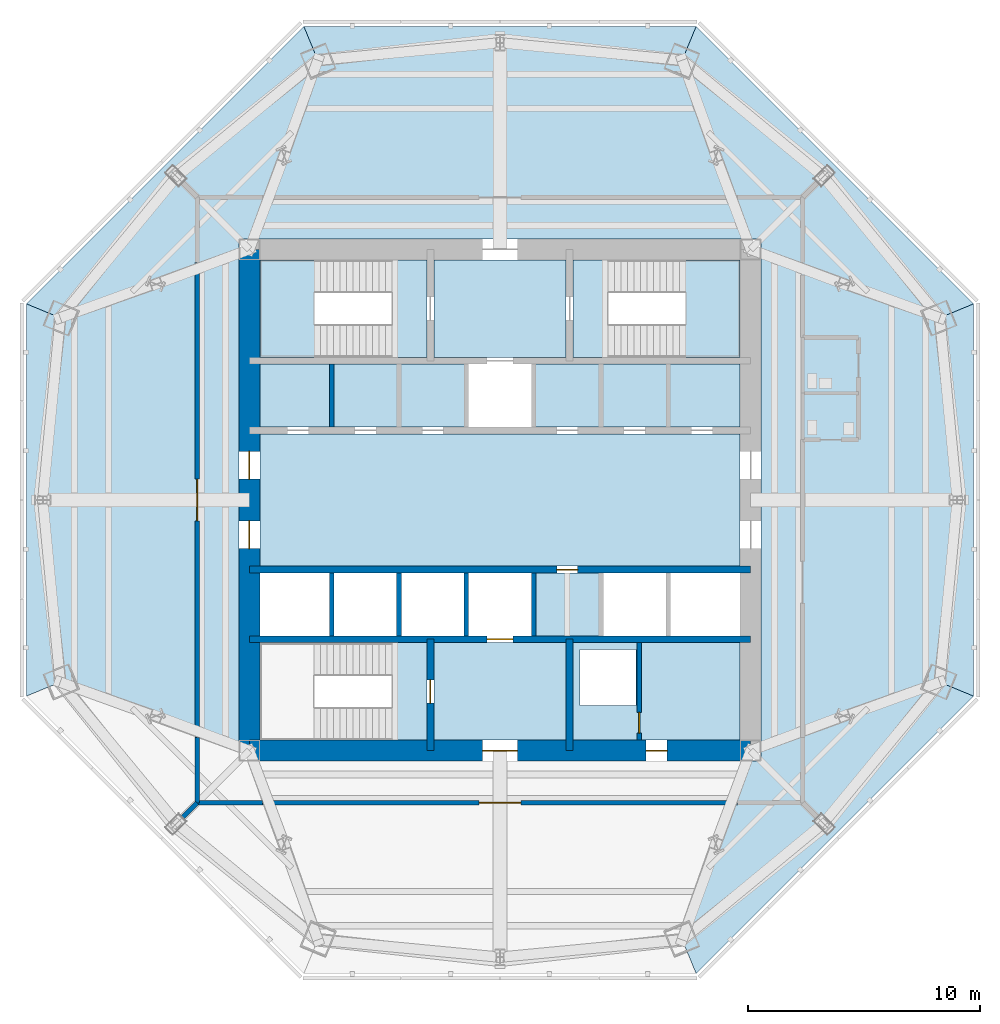
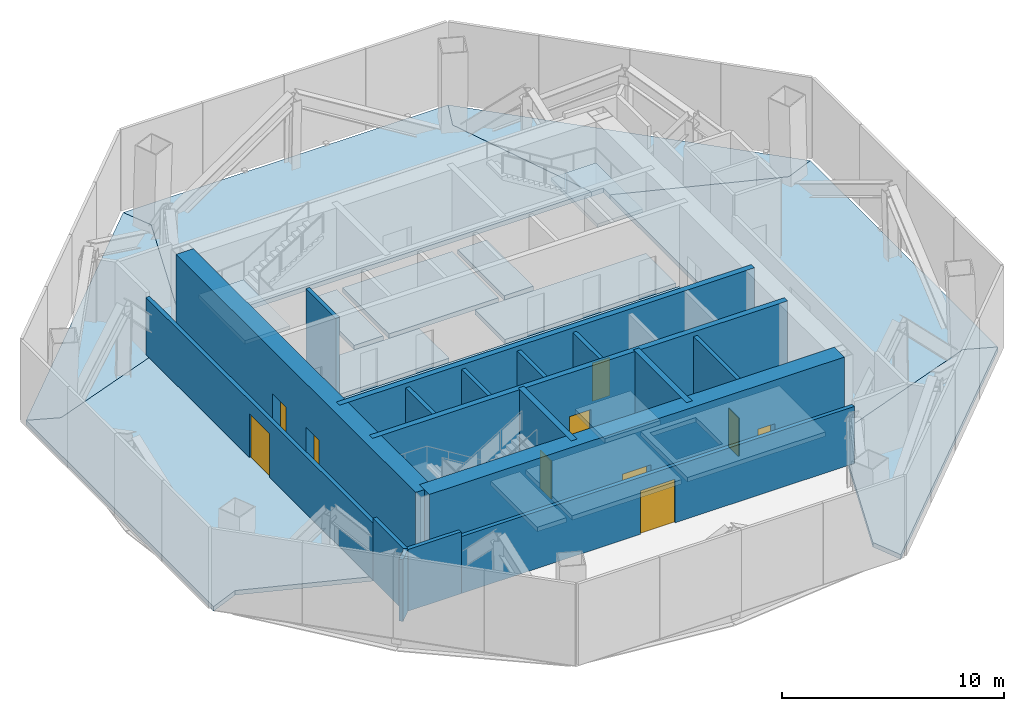
# One storey, part 3 of 8: 18 slabs, 17 walls, 10 doors, 10 openings, 3 elements without a shape of their own.
"""IFC4 building model written with IfcOpenShell, lengths in metres."""

from ifc_helpers import new_model, si_unit, direction, frame, frame_2d, origin, place, context, subcontext, project, spatial, polyline, rectangle, outline, extrude, material, layer, layer_set, type_object, element, fill, aggregate, save


model = new_model("IFC4")

# Units and contexts
model_context = context("Model", 3, precision=1e-05, world=origin(), true_north=direction((0.0, 1.0)))
body_context = subcontext(model_context, "Body", "Model", "MODEL_VIEW")
ifc_project = project(units=[si_unit("LENGTHUNIT", "METRE"), si_unit("AREAUNIT", "SQUARE_METRE"), si_unit("VOLUMEUNIT", "CUBIC_METRE"), si_unit("PLANEANGLEUNIT", "RADIAN"), si_unit("MASSUNIT", "GRAM", prefix="KILO")], contexts=[model_context])

# Site, building, storey
site_placement = place(None, origin())
site = spatial("IfcSite", under=ifc_project, at=site_placement, CompositionType="ELEMENT")
building_placement = place(site_placement, origin())
building = spatial("IfcBuilding", under=site, at=building_placement, Name="Mashrafa Tower", CompositionType="ELEMENT")
storey_placement = place(building_placement, frame((0.0, 0.0, 261.800048828125)))
storey = spatial("IfcBuildingStorey", under=building, at=storey_placement, Name="L63", CompositionType="ELEMENT", Elevation=261.800048828125)

# Slabs
ifc_material_1 = material(Name="Concrete C35/45", Category="concrete")
ifc_layer_1 = layer(ifc_material_1, 0.25)
ifc_layer_set_1 = layer_set([ifc_layer_1], Name="Floor slab 250")
slab_type_1 = type_object("IfcSlabType", Name="Floor slab 250", PredefinedType="FLOOR", material=ifc_layer_set_1)
slab_1_placement = place(storey_placement, frame((0.0, 0.0, -0.25)))
element("IfcSlab", 1, at=slab_1_placement, inside=storey, type_object=slab_type_1, Name="Floor slab L63 east bay", PredefinedType="FLOOR", context=body_context, shape_type="SweptSolid", body=[
    extrude(outline(polyline([(20.40869140625, -8.45361328125), (18.9375, -7.84423828125), (11.25, -10.636474609375), (11.25, 10.636474609375), (18.9375, 7.84423828125), (20.40869140625, 8.45361328125), (20.40869140625, -8.45361328125)])), origin(), (0.0, 0.0, 1.0), 0.25),
])
slab_2_placement = place(storey_placement, frame((0.0, 0.0, -0.25)))
element("IfcSlab", 2, at=slab_2_placement, inside=storey, type_object=slab_type_1, Name="Floor slab L63 north-east bay", PredefinedType="FLOOR", context=body_context, shape_type="SweptSolid", body=[
    extrude(outline(polyline([(8.45361328125, 20.40869140625), (20.40869140625, 8.45361328125), (20.40869140625, 8.45361328125), (18.9375, 7.84423828125), (11.25, 10.636474609375), (11.25, 11.25), (10.636474609375, 11.25), (7.84423828125, 18.9375), (8.45361328125, 20.40869140625), (8.45361328125, 20.40869140625)])), origin(), (0.0, 0.0, 1.0), 0.25),
])
slab_3_placement = place(storey_placement, frame((0.0, 0.0, -0.25)))
element("IfcSlab", 3, at=slab_3_placement, inside=storey, type_object=slab_type_1, Name="Floor slab L63 north bay", PredefinedType="FLOOR", context=body_context, shape_type="SweptSolid", body=[
    extrude(outline(polyline([(8.45361328125, 20.40869140625), (7.84423828125, 18.9375), (10.636474609375, 11.25), (-10.636474609375, 11.25), (-7.84423828125, 18.9375), (-8.45361328125, 20.40869140625), (8.45361328125, 20.40869140625)])), origin(), (0.0, 0.0, 1.0), 0.25),
])
slab_4_placement = place(storey_placement, frame((0.0, 0.0, -0.25)))
element("IfcSlab", 4, at=slab_4_placement, inside=storey, type_object=slab_type_1, Name="Floor slab L63 north-west bay", PredefinedType="FLOOR", context=body_context, shape_type="SweptSolid", body=[
    extrude(outline(polyline([(-20.40869140625, 8.45361328125), (-8.45361328125, 20.40869140625), (-8.45361328125, 20.40869140625), (-7.84423828125, 18.9375), (-10.636474609375, 11.25), (-11.25, 11.25), (-11.25, 10.636474609375), (-18.9375, 7.84423828125), (-20.40869140625, 8.45361328125), (-20.40869140625, 8.45361328125)])), origin(), (0.0, 0.0, 1.0), 0.25),
])
slab_5_placement = place(storey_placement, frame((0.0, 0.0, -0.25)))
element("IfcSlab", 5, at=slab_5_placement, inside=storey, type_object=slab_type_1, Name="Floor slab L63 west bay", PredefinedType="FLOOR", context=body_context, shape_type="SweptSolid", body=[
    extrude(outline(polyline([(-20.40869140625, 8.45361328125), (-18.9375, 7.84423828125), (-11.25, 10.636474609375), (-11.25, -10.636474609375), (-18.9375, -7.84423828125), (-20.40869140625, -8.45361328125), (-20.40869140625, 8.45361328125)])), origin(), (0.0, 0.0, 1.0), 0.25),
])
slab_6_placement = place(storey_placement, frame((0.0, 0.0, -0.25)))
element("IfcSlab", 6, at=slab_6_placement, inside=storey, type_object=slab_type_1, Name="Floor slab L63 south-east bay", PredefinedType="FLOOR", context=body_context, shape_type="SweptSolid", body=[
    extrude(outline(polyline([(8.45361328125, -20.40869140625), (7.84423828125, -18.9375), (10.636474609375, -11.25), (11.25, -11.25), (11.25, -10.636474609375), (18.9375, -7.84423828125), (20.40869140625, -8.45361328125), (20.40869140625, -8.45361328125), (8.45361328125, -20.40869140625), (8.45361328125, -20.40869140625)])), origin(), (0.0, 0.0, 1.0), 0.25),
])
slab_7_placement = place(storey_placement, frame((0.0, 0.0, -0.25)))
element("IfcSlab", 7, at=slab_7_placement, inside=storey, type_object=slab_type_1, Name="Core floor lift hall L63", PredefinedType="FLOOR", context=body_context, shape_type="SweptSolid", body=[
    extrude(outline(polyline([(-10.35009765625, 2.85009765625), (10.35009765625, 2.85009765625), (10.35009765625, -2.85009765625), (-10.35009765625, -2.85009765625), (-10.35009765625, 2.85009765625)])), origin(), (0.0, 0.0, 1.0), 0.25),
])
slab_8_placement = place(storey_placement, frame((0.0, 0.0, -0.25)))
element("IfcSlab", 8, at=slab_8_placement, inside=storey, type_object=slab_type_1, Name="Core floor riser and electrical band L63", PredefinedType="FLOOR", context=body_context, shape_type="SweptSolid", body=[
    extrude(outline(polyline([(10.35009765625, -6.14990234375), (10.35009765625, -10.35009765625), (3.14990234375, -10.35009765625), (3.14990234375, -6.14990234375), (10.35009765625, -6.14990234375)]), holes=[polyline([(3.449951171875, -8.85009765625), (5.85009765625, -8.85009765625), (5.85009765625, -6.449951171875), (3.449951171875, -6.449951171875), (3.449951171875, -8.85009765625)])]), origin(), (0.0, 0.0, 1.0), 0.25),
])
slab_9_placement = place(storey_placement, frame((0.0, 0.0, -0.25)))
element("IfcSlab", 9, at=slab_9_placement, inside=storey, type_object=slab_type_1, Name="Core floor lift cell L63", PredefinedType="FLOOR", context=body_context, shape_type="SweptSolid", body=[
    extrude(outline(polyline([(-10.35009765625, 5.85009765625), (-1.449951171875, 5.85009765625), (-1.449951171875, 3.14990234375), (-10.35009765625, 3.14990234375), (-10.35009765625, 5.85009765625)])), origin(), (0.0, 0.0, 1.0), 0.25),
])
slab_10_placement = place(storey_placement, frame((0.0, 0.0, -0.25)))
element("IfcSlab", 10, at=slab_10_placement, inside=storey, type_object=slab_type_1, Name="Core floor lift cell L63", PredefinedType="FLOOR", context=body_context, shape_type="SweptSolid", body=[
    extrude(outline(polyline([(1.449951171875, 5.85009765625), (10.35009765625, 5.85009765625), (10.35009765625, 3.14990234375), (1.449951171875, 3.14990234375), (1.449951171875, 5.85009765625)])), origin(), (0.0, 0.0, 1.0), 0.25),
])
slab_11_placement = place(storey_placement, frame((0.0, 0.0, -0.25)))
element("IfcSlab", 11, at=slab_11_placement, inside=storey, type_object=slab_type_1, Name="Core floor fire-fighting lobby south L63", PredefinedType="FLOOR", context=body_context, shape_type="SweptSolid", body=[
    extrude(outline(polyline([(2.85009765625, -6.14990234375), (2.85009765625, -10.35009765625), (-2.85009765625, -10.35009765625), (-2.85009765625, -6.14990234375), (2.85009765625, -6.14990234375)])), origin(), (0.0, 0.0, 1.0), 0.25),
])
slab_12_placement = place(storey_placement, frame((0.0, 0.0, -0.25)))
element("IfcSlab", 12, at=slab_12_placement, inside=storey, type_object=slab_type_1, Name="Core floor fire-fighting lobby north L63", PredefinedType="FLOOR", context=body_context, shape_type="SweptSolid", body=[
    extrude(outline(polyline([(-2.85009765625, 10.35009765625), (2.85009765625, 10.35009765625), (2.85009765625, 6.14990234375), (-2.85009765625, 6.14990234375), (-2.85009765625, 10.35009765625)])), origin(), (0.0, 0.0, 1.0), 0.25),
])
slab_13_placement = place(storey_placement, frame((0.0, 0.0, -0.25)))
element("IfcSlab", 13, at=slab_13_placement, inside=storey, type_object=slab_type_1, Name="Core floor lift cell L63", PredefinedType="FLOOR", context=body_context, shape_type="SweptSolid", body=[
    extrude(outline(polyline([(4.35009765625, -3.14990234375), (4.35009765625, -5.85009765625), (1.449951171875, -5.85009765625), (1.449951171875, -3.14990234375), (4.35009765625, -3.14990234375)])), origin(), (0.0, 0.0, 1.0), 0.25),
])

# Stair, slab
ifc_material_2 = material(Name="Exit stair 1400")
stair_type = type_object("IfcStairType", Name="Exit stair 1400", PredefinedType="HALF_TURN_STAIR", material=ifc_material_2)
stair_1_placement = place(storey_placement, origin())
stair_1 = element("IfcStair", 14, at=stair_1_placement, inside=storey, type_object=stair_type, Name="Stair S1 L63", PredefinedType="HALF_TURN_STAIR")
ifc_material_3 = material(Name="Concrete C32/40", Category="concrete")
ifc_layer_2 = layer(ifc_material_3, 0.199951171875)
ifc_layer_set_2 = layer_set([ifc_layer_2], Name="Stair landing 200")
slab_type_2 = type_object("IfcSlabType", Name="Stair landing 200", PredefinedType="LANDING", material=ifc_layer_set_2)
slab_14_placement = place(storey_placement, frame((0.0, 0.0, 2.050048828125)))
slab_14 = element("IfcSlab", 15, at=slab_14_placement, type_object=slab_type_2, Name="S1 landing 2", PredefinedType="LANDING", context=body_context, shape_type="SweptSolid", body=[
    extrude(outline(polyline([(-10.35009765625, 6.14990234375), (-8.0, 6.14990234375), (-8.0, 10.35009765625), (-10.35009765625, 10.35009765625), (-10.35009765625, 6.14990234375)])), origin(), (0.0, 0.0, 1.0), 0.199951171875),
])

stair_2_placement = place(storey_placement, origin())
stair_2 = element("IfcStair", 16, at=stair_2_placement, inside=storey, type_object=stair_type, Name="Stair S2 L63", PredefinedType="HALF_TURN_STAIR")
slab_15_placement = place(storey_placement, frame((0.0, 0.0, 2.050048828125)))
slab_15 = element("IfcSlab", 17, at=slab_15_placement, type_object=slab_type_2, Name="S2 landing 2", PredefinedType="LANDING", context=body_context, shape_type="SweptSolid", body=[
    extrude(outline(polyline([(8.0, 6.14990234375), (10.35009765625, 6.14990234375), (10.35009765625, 10.35009765625), (8.0, 10.35009765625), (8.0, 6.14990234375)])), origin(), (0.0, 0.0, 1.0), 0.199951171875),
])

# Slab
ifc_material_4 = material(Name="Concrete C32/40", Category="concrete")
ifc_layer_3 = layer(ifc_material_4, 0.25)
ifc_layer_set_3 = layer_set([ifc_layer_3], Name="Stair landing 250")
slab_type_3 = type_object("IfcSlabType", Name="Stair landing 250", PredefinedType="LANDING", material=ifc_layer_set_3)
slab_16_placement = place(storey_placement, frame((0.0, 0.0, -0.25)))
slab_16 = element("IfcSlab", 18, at=slab_16_placement, type_object=slab_type_3, Name="S1 landing 1", PredefinedType="LANDING", context=body_context, shape_type="SweptSolid", body=[
    extrude(outline(polyline([(-4.659912109375, 6.14990234375), (-3.14990234375, 6.14990234375), (-3.14990234375, 10.35009765625), (-4.659912109375, 10.35009765625), (-4.659912109375, 6.14990234375)])), origin(), (0.0, 0.0, 1.0), 0.25),
])

aggregate(stair_1, [slab_16, slab_14])

slab_17_placement = place(storey_placement, frame((0.0, 0.0, -0.25)))
slab_17 = element("IfcSlab", 19, at=slab_17_placement, type_object=slab_type_3, Name="S2 landing 1", PredefinedType="LANDING", context=body_context, shape_type="SweptSolid", body=[
    extrude(outline(polyline([(3.14990234375, 6.14990234375), (4.659912109375, 6.14990234375), (4.659912109375, 10.35009765625), (3.14990234375, 10.35009765625), (3.14990234375, 6.14990234375)])), origin(), (0.0, 0.0, 1.0), 0.25),
])

aggregate(stair_2, [slab_17, slab_15])

# Stair, slab
stair_3_placement = place(storey_placement, origin())
stair_3 = element("IfcStair", 20, at=stair_3_placement, inside=storey, type_object=stair_type, Name="Stair S3 L63", PredefinedType="HALF_TURN_STAIR")
slab_18_placement = place(storey_placement, frame((0.0, 0.0, -0.25)))
slab_18 = element("IfcSlab", 21, at=slab_18_placement, type_object=slab_type_3, Name="S3 landing 1", PredefinedType="LANDING", context=body_context, shape_type="SweptSolid", body=[
    extrude(outline(polyline([(-4.659912109375, -10.35009765625), (-3.14990234375, -10.35009765625), (-3.14990234375, -6.14990234375), (-4.659912109375, -6.14990234375), (-4.659912109375, -10.35009765625)])), origin(), (0.0, 0.0, 1.0), 0.25),
])
aggregate(stair_3, [slab_18])

# Wall, opening, door
ifc_material_5 = material(Name="Concrete masonry unit", Category="masonry")
ifc_layer_4 = layer(ifc_material_5, 0.199951171875)
ifc_layer_set_4 = layer_set([ifc_layer_4], Name="Blockwork wall 200 2 hr")
wall_type_1 = type_object("IfcWallType", Name="Blockwork wall 200 2 hr", PredefinedType="PARTITIONING", material=ifc_layer_set_4)
wall_1_placement = place(storey_placement, frame((-13.050048828125, 10.22802734375, 0.0), z_axis=(0.0, 0.0, 1.0), x_axis=(0.0, -1.0, 0.0)))
wall_1 = element("IfcWall", 22, at=wall_1_placement, inside=storey, type_object=wall_type_1, Name="Blockwork wall L63-008", PredefinedType="PARTITIONING", context=body_context, shape_type="SweptSolid", body=[
    extrude(rectangle(XDim=20.4560546875, YDim=0.199951171875, at=frame_2d((10.22802734375, 0.0))), origin(), (0.0, 0.0, 1.0), 3.139892578125),
])
opening_1_placement = place(wall_1_placement, frame((9.327880859375, 0.0, 0.0)))
opening_1 = element("IfcOpeningElement", 23, at=opening_1_placement, cuts=wall_1, Name="Opening 63.004", PredefinedType="OPENING", context=body_context, shape_type="SweptSolid", body=[
    extrude(rectangle(XDim=1.800048828125, YDim=2.39990234375, at=frame_2d((0.89990234375, 1.199951171875))), frame((0.0, 0.10986328125, 0.0), z_axis=(0.0, -1.0, 0.0), x_axis=(1.0, 0.0, 0.0)), (0.0, 0.0, 1.0), 0.219970703125),
])
ifc_material_6 = material(Name="Steel door", Category="steel")
door_type_1 = type_object("IfcDoorType", Name="Door pair 1800 x 2400 90 min", OperationType="DOUBLE_DOOR_SINGLE_SWING", PredefinedType="DOOR", material=ifc_material_6)
door_1_placement = place(opening_1_placement, origin())
door_1 = element("IfcDoor", 24, at=door_1_placement, inside=storey, type_object=door_type_1, Name="Refuge Area L63 West door", OperationType="DOUBLE_DOOR_SINGLE_SWING", OverallHeight=2.39990234375, OverallWidth=1.800048828125, PredefinedType="DOOR", context=body_context, shape_type="SweptSolid", body=[
    extrude(rectangle(XDim=1.800048828125, YDim=2.39990234375, at=frame_2d((0.89990234375, 1.199951171875))), frame((0.0, 0.02490234375, 0.0), z_axis=(0.0, -1.0, 0.0), x_axis=(1.0, 0.0, 0.0)), (0.0, 0.0, 1.0), 0.050048828125),
])
fill(opening_1, door_1)

# Walls
for number, where, z_axis, x_axis, name in (
    (25, (-13.050048828125, -10.22998046875, 0.0), (0.0, 0.0, 1.0), (0.0, -1.0, 0.0), "Blockwork wall L63-009"),
    (26, (-13.050048828125, -13.050048828125, 0.0), (0.0, 0.0, 1.0), (1.0, 0.0, 0.0), "Blockwork wall L63-013"),
):
    element("IfcWall", number, at=place(storey_placement, frame(where, z_axis=z_axis, x_axis=x_axis)), inside=storey, type_object=wall_type_1, Name=name, PredefinedType="PARTITIONING", context=body_context, shape_type="SweptSolid", body=[
        extrude(rectangle(XDim=2.820068359375, YDim=0.199951171875, at=frame_2d((1.41015625, 0.0))), origin(), (0.0, 0.0, 1.0), 3.399169921875),
    ])

# Wall, opening, door
wall_2_placement = place(storey_placement, frame((-10.22802734375, -13.050048828125, 0.0), z_axis=(0.0, 0.0, 1.0), x_axis=(1.0, 0.0, 0.0)))
wall_2 = element("IfcWall", 27, at=wall_2_placement, inside=storey, type_object=wall_type_1, Name="Blockwork wall L63-014", PredefinedType="PARTITIONING", context=body_context, shape_type="SweptSolid", body=[
    extrude(rectangle(XDim=20.4560546875, YDim=0.199951171875, at=frame_2d((10.22802734375, 0.0))), origin(), (0.0, 0.0, 1.0), 3.139892578125),
])
opening_2_placement = place(wall_2_placement, frame((9.327880859375, 0.0, 0.0)))
opening_2 = element("IfcOpeningElement", 28, at=opening_2_placement, cuts=wall_2, Name="Opening 63.006", PredefinedType="OPENING", context=body_context, shape_type="SweptSolid", body=[
    extrude(rectangle(XDim=1.800048828125, YDim=2.39990234375, at=frame_2d((0.89990234375, 1.199951171875))), frame((0.0, 0.10986328125, 0.0), z_axis=(0.0, -1.0, 0.0), x_axis=(1.0, 0.0, 0.0)), (0.0, 0.0, 1.0), 0.219970703125),
])
door_2_placement = place(opening_2_placement, frame((1.800048828125, 0.0, 0.0), z_axis=(0.0, 0.0, 1.0), x_axis=(-1.0, 0.0, 0.0)))
door_2 = element("IfcDoor", 29, at=door_2_placement, inside=storey, type_object=door_type_1, Name="Air Handling Plant Room L63 door", OperationType="DOUBLE_DOOR_SINGLE_SWING", OverallHeight=2.39990234375, OverallWidth=1.800048828125, PredefinedType="DOOR", context=body_context, shape_type="SweptSolid", body=[
    extrude(rectangle(XDim=1.800048828125, YDim=2.39990234375, at=frame_2d((0.89990234375, 1.199951171875))), frame((0.0, 0.02490234375, 0.0), z_axis=(0.0, -1.0, 0.0), x_axis=(1.0, 0.0, 0.0)), (0.0, 0.0, 1.0), 0.050048828125),
])
fill(opening_2, door_2)

# Wall
wall_3_placement = place(storey_placement, frame((-13.669921875, -13.669921875, 0.0), z_axis=(0.0, 0.0, 1.0), x_axis=(0.707106781187, 0.707106781187, 0.0)))
element("IfcWall", 30, at=wall_3_placement, inside=storey, type_object=wall_type_1, Name="Blockwork wall L63-024", PredefinedType="PARTITIONING", context=body_context, shape_type="SweptSolid", body=[
    extrude(rectangle(XDim=0.876708984375, YDim=0.199951171875, at=frame_2d((0.4384765625, 0.0))), origin(), (0.0, 0.0, 1.0), 3.399169921875),
])

# Wall, opening, door
wall_4_placement = place(storey_placement, frame((6.0, -10.35009765625, 0.0), z_axis=(0.0, 0.0, 1.0), x_axis=(0.0, 1.0, 0.0)))
wall_4 = element("IfcWall", 31, at=wall_4_placement, inside=storey, type_object=wall_type_1, Name="Riser enclosure wall L63", PredefinedType="PARTITIONING", context=body_context, shape_type="SweptSolid", body=[
    extrude(rectangle(XDim=4.2001953125, YDim=0.199951171875, at=frame_2d((2.10009765625, 0.0))), origin(), (0.0, 0.0, 1.0), 4.25),
])
opening_3_placement = place(wall_4_placement, frame((0.300048828125, 0.0, 0.0)))
opening_3 = element("IfcOpeningElement", 32, at=opening_3_placement, cuts=wall_4, Name="Opening 63.017", PredefinedType="OPENING", context=body_context, shape_type="SweptSolid", body=[
    extrude(rectangle(XDim=0.89990234375, YDim=2.10009765625, at=frame_2d((0.449951171875, 1.050048828125))), frame((0.0, 0.10986328125, 0.0), z_axis=(0.0, -1.0, 0.0), x_axis=(1.0, 0.0, 0.0)), (0.0, 0.0, 1.0), 0.219970703125),
])
ifc_material_7 = material(Name="Steel door", Category="steel")
door_type_2 = type_object("IfcDoorType", Name="Service door 900 x 2100 90 min", OperationType="USERDEFINED", PredefinedType="DOOR", material=ifc_material_7)
door_3_placement = place(opening_3_placement, origin())
door_3 = element("IfcDoor", 33, at=door_3_placement, inside=storey, type_object=door_type_2, Name="Riser door L63", OperationType="SINGLE_SWING_LEFT", OverallHeight=2.10009765625, OverallWidth=0.89990234375, PredefinedType="DOOR", context=body_context, shape_type="SweptSolid", body=[
    extrude(rectangle(XDim=0.89990234375, YDim=2.10009765625, at=frame_2d((0.449951171875, 1.050048828125))), frame((0.0, 0.02490234375, 0.0), z_axis=(0.0, -1.0, 0.0), x_axis=(1.0, 0.0, 0.0)), (0.0, 0.0, 1.0), 0.050048828125),
])
fill(opening_3, door_3)

ifc_material_8 = material(Name="Concrete C50/60", Category="concrete")
ifc_layer_5 = layer(ifc_material_8, 0.300048828125)
ifc_layer_set_5 = layer_set([ifc_layer_5], Name="Core wall 300 C50/60")
wall_type_2 = type_object("IfcWallType", Name="Core wall 300 C50/60", PredefinedType="SOLIDWALL", material=ifc_layer_set_5)
wall_5_placement = place(storey_placement, frame((-10.800048828125, -3.0, 0.0), z_axis=(0.0, 0.0, 1.0), x_axis=(1.0, 0.0, 0.0)))
wall_5 = element("IfcWall", 34, at=wall_5_placement, inside=storey, type_object=wall_type_2, Name="Core wall CH-S L63", PredefinedType="SOLIDWALL", context=body_context, shape_type="SweptSolid", body=[
    extrude(rectangle(XDim=21.60009765625, YDim=0.300048828125, at=frame_2d((10.800048828125, 0.0))), origin(), (0.0, 0.0, 1.0), 4.5),
])
opening_4_placement = place(wall_5_placement, frame((13.25, 0.0, 0.0)))
opening_4 = element("IfcOpeningElement", 35, at=opening_4_placement, cuts=wall_5, Name="Opening 63.024", PredefinedType="OPENING", context=body_context, shape_type="SweptSolid", body=[
    extrude(rectangle(XDim=0.89990234375, YDim=2.10009765625, at=frame_2d((0.449951171875, 1.050048828125))), frame((0.0, 0.159912109375, 0.0), z_axis=(0.0, -1.0, 0.0), x_axis=(1.0, 0.0, 0.0)), (0.0, 0.0, 1.0), 0.320068359375),
])
ifc_material_9 = material(Name="Timber door", Category="wood")
door_type_3 = type_object("IfcDoorType", Name="Store door 900 x 2100", OperationType="USERDEFINED", PredefinedType="DOOR", material=ifc_material_9)
door_4_placement = place(opening_4_placement, frame((0.89990234375, 0.0, 0.0), z_axis=(0.0, 0.0, 1.0), x_axis=(-1.0, 0.0, 0.0)))
door_4 = element("IfcDoor", 36, at=door_4_placement, inside=storey, type_object=door_type_3, Name="Plant Store L63-B4 door", OperationType="SINGLE_SWING_RIGHT", OverallHeight=2.10009765625, OverallWidth=0.89990234375, PredefinedType="DOOR", context=body_context, shape_type="SweptSolid", body=[
    extrude(rectangle(XDim=0.89990234375, YDim=2.10009765625, at=frame_2d((0.449951171875, 1.050048828125))), frame((0.0, 0.02490234375, 0.0), z_axis=(0.0, -1.0, 0.0), x_axis=(1.0, 0.0, 0.0)), (0.0, 0.0, 1.0), 0.050048828125),
])
fill(opening_4, door_4)

wall_6_placement = place(storey_placement, frame((-10.800048828125, -6.0, 0.0), z_axis=(0.0, 0.0, 1.0), x_axis=(1.0, 0.0, 0.0)))
wall_6 = element("IfcWall", 37, at=wall_6_placement, inside=storey, type_object=wall_type_2, Name="Core wall CB-S L63", PredefinedType="SOLIDWALL", context=body_context, shape_type="SweptSolid", body=[
    extrude(rectangle(XDim=21.60009765625, YDim=0.300048828125, at=frame_2d((10.800048828125, 0.0))), origin(), (0.0, 0.0, 1.0), 4.5),
])
opening_5_placement = place(wall_6_placement, frame((10.25, 0.0, 0.0)))
opening_5 = element("IfcOpeningElement", 38, at=opening_5_placement, cuts=wall_6, Name="Opening 63.F2", PredefinedType="OPENING", context=body_context, shape_type="SweptSolid", body=[
    extrude(rectangle(XDim=1.10009765625, YDim=2.10009765625, at=frame_2d((0.550048828125, 1.050048828125))), frame((0.0, 0.159912109375, 0.0), z_axis=(0.0, -1.0, 0.0), x_axis=(1.0, 0.0, 0.0)), (0.0, 0.0, 1.0), 0.320068359375),
])
ifc_material_10 = material(Name="Steel door", Category="steel")
door_type_4 = type_object("IfcDoorType", Name="Lift landing door 1100 x 2100 90 min", OperationType="DOUBLE_DOOR_SLIDING", PredefinedType="DOOR", material=ifc_material_10)
door_5_placement = place(opening_5_placement, origin())
door_5 = element("IfcDoor", 39, at=door_5_placement, inside=storey, type_object=door_type_4, Name="Lift landing door F2 L63", OperationType="DOUBLE_DOOR_SLIDING", OverallHeight=2.10009765625, OverallWidth=1.10009765625, PredefinedType="DOOR", context=body_context, shape_type="SweptSolid", body=[
    extrude(rectangle(XDim=1.10009765625, YDim=2.10009765625, at=frame_2d((0.550048828125, 1.050048828125))), frame((0.0, 0.02490234375, 0.0), z_axis=(0.0, -1.0, 0.0), x_axis=(1.0, 0.0, 0.0)), (0.0, 0.0, 1.0), 0.050048828125),
])
fill(opening_5, door_5)

wall_7_placement = place(storey_placement, frame((-3.0, -6.0, 0.0), z_axis=(0.0, 0.0, 1.0), x_axis=(0.0, -1.0, 0.0)))
wall_7 = element("IfcWall", 40, at=wall_7_placement, inside=storey, type_object=wall_type_2, Name="Core wall CX-SW L63", PredefinedType="SOLIDWALL", context=body_context, shape_type="SweptSolid", body=[
    extrude(rectangle(XDim=4.800048828125, YDim=0.300048828125, at=frame_2d((2.39990234375, 0.0))), origin(), (0.0, 0.0, 1.0), 4.5),
])
opening_6_placement = place(wall_7_placement, frame((1.75, 0.0, 0.0)))
opening_6 = element("IfcOpeningElement", 41, at=opening_6_placement, cuts=wall_7, Name="Opening 63.015", PredefinedType="OPENING", context=body_context, shape_type="SweptSolid", body=[
    extrude(rectangle(XDim=1.0, YDim=2.10009765625, at=frame_2d((0.5, 1.050048828125))), frame((0.0, 0.159912109375, 0.0), z_axis=(0.0, -1.0, 0.0), x_axis=(1.0, 0.0, 0.0)), (0.0, 0.0, 1.0), 0.320068359375),
])
ifc_material_11 = material(Name="Steel door", Category="steel")
door_type_5 = type_object("IfcDoorType", Name="Stair door 1000 x 2100 90 min", OperationType="USERDEFINED", PredefinedType="DOOR", material=ifc_material_11)
door_6_placement = place(opening_6_placement, frame((1.0, 0.0, 0.0), z_axis=(0.0, 0.0, 1.0), x_axis=(-1.0, 0.0, 0.0)))
door_6 = element("IfcDoor", 42, at=door_6_placement, inside=storey, type_object=door_type_5, Name="Stair S3 door L63", OperationType="SINGLE_SWING_RIGHT", OverallHeight=2.10009765625, OverallWidth=1.0, PredefinedType="DOOR", context=body_context, shape_type="SweptSolid", body=[
    extrude(rectangle(XDim=1.0, YDim=2.10009765625, at=frame_2d((0.5, 1.050048828125))), frame((0.0, 0.02490234375, 0.0), z_axis=(0.0, -1.0, 0.0), x_axis=(1.0, 0.0, 0.0)), (0.0, 0.0, 1.0), 0.050048828125),
])
fill(opening_6, door_6)

# Wall
wall_8_placement = place(storey_placement, frame((3.0, -6.0, 0.0), z_axis=(0.0, 0.0, 1.0), x_axis=(0.0, -1.0, 0.0)))
element("IfcWall", 43, at=wall_8_placement, inside=storey, type_object=wall_type_2, Name="Core wall CX-SE L63", PredefinedType="SOLIDWALL", context=body_context, shape_type="SweptSolid", body=[
    extrude(rectangle(XDim=4.800048828125, YDim=0.300048828125, at=frame_2d((2.39990234375, 0.0))), origin(), (0.0, 0.0, 1.0), 4.5),
])

# Wall, openings, doors
ifc_material_12 = material(Name="Concrete C50/60", Category="concrete")
ifc_layer_6 = layer(ifc_material_12, 0.89990234375)
ifc_layer_set_6 = layer_set([ifc_layer_6], Name="Core wall 900 C50/60")
wall_type_3 = type_object("IfcWallType", Name="Core wall 900 C50/60", PredefinedType="SOLIDWALL", material=ifc_layer_set_6)
wall_9_placement = place(storey_placement, frame((-10.800048828125, -10.800048828125, 0.0), z_axis=(0.0, 0.0, 1.0), x_axis=(1.0, 0.0, 0.0)))
wall_9 = element("IfcWall", 44, at=wall_9_placement, inside=storey, type_object=wall_type_3, Name="Core wall CW-S L63", PredefinedType="SOLIDWALL", context=body_context, shape_type="SweptSolid", body=[
    extrude(rectangle(XDim=21.60009765625, YDim=0.89990234375, at=frame_2d((10.800048828125, 0.0))), origin(), (0.0, 0.0, 1.0), 4.5),
])
opening_7_placement = place(wall_9_placement, frame((10.050048828125, 0.0, 0.0)))
opening_7 = element("IfcOpeningElement", 45, at=opening_7_placement, cuts=wall_9, Name="Opening 63.012", PredefinedType="OPENING", context=body_context, shape_type="SweptSolid", body=[
    extrude(rectangle(XDim=1.5, YDim=2.10009765625, at=frame_2d((0.75, 1.050048828125))), frame((0.0, 0.4599609375, 0.0), z_axis=(0.0, -1.0, 0.0), x_axis=(1.0, 0.0, 0.0)), (0.0, 0.0, 1.0), 0.919921875),
])
opening_8_placement = place(wall_9_placement, frame((17.10009765625, 0.0, 0.0)))
opening_8 = element("IfcOpeningElement", 46, at=opening_8_placement, cuts=wall_9, Name="Opening 63.016", PredefinedType="OPENING", context=body_context, shape_type="SweptSolid", body=[
    extrude(rectangle(XDim=0.89990234375, YDim=2.10009765625, at=frame_2d((0.449951171875, 1.050048828125))), frame((0.0, 0.4599609375, 0.0), z_axis=(0.0, -1.0, 0.0), x_axis=(1.0, 0.0, 0.0)), (0.0, 0.0, 1.0), 0.919921875),
])
ifc_material_13 = material(Name="Steel door", Category="steel")
door_type_6 = type_object("IfcDoorType", Name="Lobby door pair 1500 x 2100 90 min", OperationType="DOUBLE_DOOR_SINGLE_SWING", PredefinedType="DOOR", material=ifc_material_13)
door_7_placement = place(opening_7_placement, origin())
door_7 = element("IfcDoor", 47, at=door_7_placement, inside=storey, type_object=door_type_6, Name="Fire-fighting lobby F2 door L63", OperationType="DOUBLE_DOOR_SINGLE_SWING", OverallHeight=2.10009765625, OverallWidth=1.5, PredefinedType="DOOR", context=body_context, shape_type="SweptSolid", body=[
    extrude(rectangle(XDim=1.5, YDim=2.10009765625, at=frame_2d((0.75, 1.050048828125))), frame((0.0, 0.02490234375, 0.0), z_axis=(0.0, -1.0, 0.0), x_axis=(1.0, 0.0, 0.0)), (0.0, 0.0, 1.0), 0.050048828125),
])
fill(opening_7, door_7)
door_8_placement = place(opening_8_placement, origin())
door_8 = element("IfcDoor", 48, at=door_8_placement, inside=storey, type_object=door_type_2, Name="Plant Store L63 door", OperationType="SINGLE_SWING_LEFT", OverallHeight=2.10009765625, OverallWidth=0.89990234375, PredefinedType="DOOR", context=body_context, shape_type="SweptSolid", body=[
    extrude(rectangle(XDim=0.89990234375, YDim=2.10009765625, at=frame_2d((0.449951171875, 1.050048828125))), frame((0.0, 0.02490234375, 0.0), z_axis=(0.0, -1.0, 0.0), x_axis=(1.0, 0.0, 0.0)), (0.0, 0.0, 1.0), 0.050048828125),
])
fill(opening_8, door_8)

wall_10_placement = place(storey_placement, frame((-10.800048828125, 10.800048828125, 0.0), z_axis=(0.0, 0.0, 1.0), x_axis=(0.0, -1.0, 0.0)))
wall_10 = element("IfcWall", 49, at=wall_10_placement, inside=storey, type_object=wall_type_3, Name="Core wall CW-W L63", PredefinedType="SOLIDWALL", context=body_context, shape_type="SweptSolid", body=[
    extrude(rectangle(XDim=21.60009765625, YDim=0.89990234375, at=frame_2d((10.800048828125, 0.0))), origin(), (0.0, 0.0, 1.0), 4.5),
])
opening_9_placement = place(wall_10_placement, frame((8.699951171875, 0.0, 0.0)))
opening_9 = element("IfcOpeningElement", 50, at=opening_9_placement, cuts=wall_10, Name="Opening 63.008", PredefinedType="OPENING", context=body_context, shape_type="SweptSolid", body=[
    extrude(rectangle(XDim=1.199951171875, YDim=2.10009765625, at=frame_2d((0.60009765625, 1.050048828125))), frame((0.0, 0.4599609375, 0.0), z_axis=(0.0, -1.0, 0.0), x_axis=(1.0, 0.0, 0.0)), (0.0, 0.0, 1.0), 0.919921875),
])
opening_10_placement = place(wall_10_placement, frame((11.699951171875, 0.0, 0.0)))
opening_10 = element("IfcOpeningElement", 51, at=opening_10_placement, cuts=wall_10, Name="Opening 63.010", PredefinedType="OPENING", context=body_context, shape_type="SweptSolid", body=[
    extrude(rectangle(XDim=1.199951171875, YDim=2.10009765625, at=frame_2d((0.60009765625, 1.050048828125))), frame((0.0, 0.4599609375, 0.0), z_axis=(0.0, -1.0, 0.0), x_axis=(1.0, 0.0, 0.0)), (0.0, 0.0, 1.0), 0.919921875),
])
ifc_material_14 = material(Name="Steel door", Category="steel")
door_type_7 = type_object("IfcDoorType", Name="Lift hall door 1200 x 2100 90 min", OperationType="USERDEFINED", PredefinedType="DOOR", material=ifc_material_14)
door_9_placement = place(opening_9_placement, frame((1.199951171875, 0.0, 0.0), z_axis=(0.0, 0.0, 1.0), x_axis=(-1.0, 0.0, 0.0)))
door_9 = element("IfcDoor", 52, at=door_9_placement, inside=storey, type_object=door_type_7, Name="Lift hall door west L63", OperationType="SINGLE_SWING_RIGHT", OverallHeight=2.10009765625, OverallWidth=1.199951171875, PredefinedType="DOOR", context=body_context, shape_type="SweptSolid", body=[
    extrude(rectangle(XDim=1.199951171875, YDim=2.10009765625, at=frame_2d((0.60009765625, 1.050048828125))), frame((0.0, 0.02490234375, 0.0), z_axis=(0.0, -1.0, 0.0), x_axis=(1.0, 0.0, 0.0)), (0.0, 0.0, 1.0), 0.050048828125),
])
fill(opening_9, door_9)
door_10_placement = place(opening_10_placement, frame((1.199951171875, 0.0, 0.0), z_axis=(0.0, 0.0, 1.0), x_axis=(-1.0, 0.0, 0.0)))
door_10 = element("IfcDoor", 53, at=door_10_placement, inside=storey, type_object=door_type_7, Name="Lift hall door west L63", OperationType="SINGLE_SWING_LEFT", OverallHeight=2.10009765625, OverallWidth=1.199951171875, PredefinedType="DOOR", context=body_context, shape_type="SweptSolid", body=[
    extrude(rectangle(XDim=1.199951171875, YDim=2.10009765625, at=frame_2d((0.60009765625, 1.050048828125))), frame((0.0, 0.02490234375, 0.0), z_axis=(0.0, -1.0, 0.0), x_axis=(1.0, 0.0, 0.0)), (0.0, 0.0, 1.0), 0.050048828125),
])
fill(opening_10, door_10)

# Walls
ifc_material_15 = material(Name="Gypsum shaft wall on steel studs", Category="steel")
ifc_layer_7 = layer(ifc_material_15, 0.199951171875)
ifc_layer_set_7 = layer_set([ifc_layer_7], Name="Shaft divider wall 200 2 hr")
wall_type_4 = type_object("IfcWallType", Name="Shaft divider wall 200 2 hr", PredefinedType="PARTITIONING", material=ifc_layer_set_7)
for number, where, z_axis, x_axis, name in (
    (54, (-7.25, 3.14990234375, 0.0), (0.0, 0.0, 1.0), (0.0, 1.0, 0.0), "Shaft divider wall N1 L63"),
    (55, (-7.25, -5.85009765625, 0.0), (0.0, 0.0, 1.0), (0.0, 1.0, 0.0), "Shaft divider wall S1 L63"),
    (56, (-4.35009765625, -5.85009765625, 0.0), (0.0, 0.0, 1.0), (0.0, 1.0, 0.0), "Shaft divider wall S2 L63"),
    (57, (-1.449951171875, -5.85009765625, 0.0), (0.0, 0.0, 1.0), (0.0, 1.0, 0.0), "Shaft divider wall S3 L63"),
    (58, (1.449951171875, -5.85009765625, 0.0), (0.0, 0.0, 1.0), (0.0, 1.0, 0.0), "Shaft divider wall S4 L63"),
):
    element("IfcWall", number, at=place(storey_placement, frame(where, z_axis=z_axis, x_axis=x_axis)), inside=storey, type_object=wall_type_4, Name=name, PredefinedType="PARTITIONING", context=body_context, shape_type="SweptSolid", body=[
        extrude(rectangle(XDim=2.7001953125, YDim=0.199951171875, at=frame_2d((1.35009765625, 0.0))), origin(), (0.0, 0.0, 1.0), 4.25),
    ])

save(model, "model.ifc")
